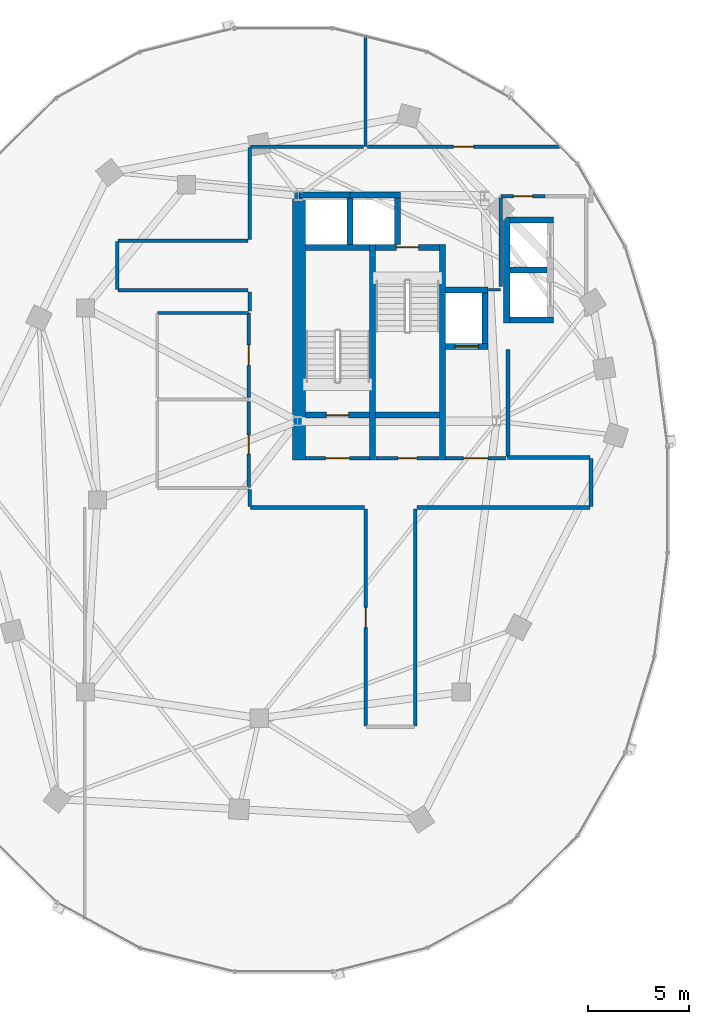
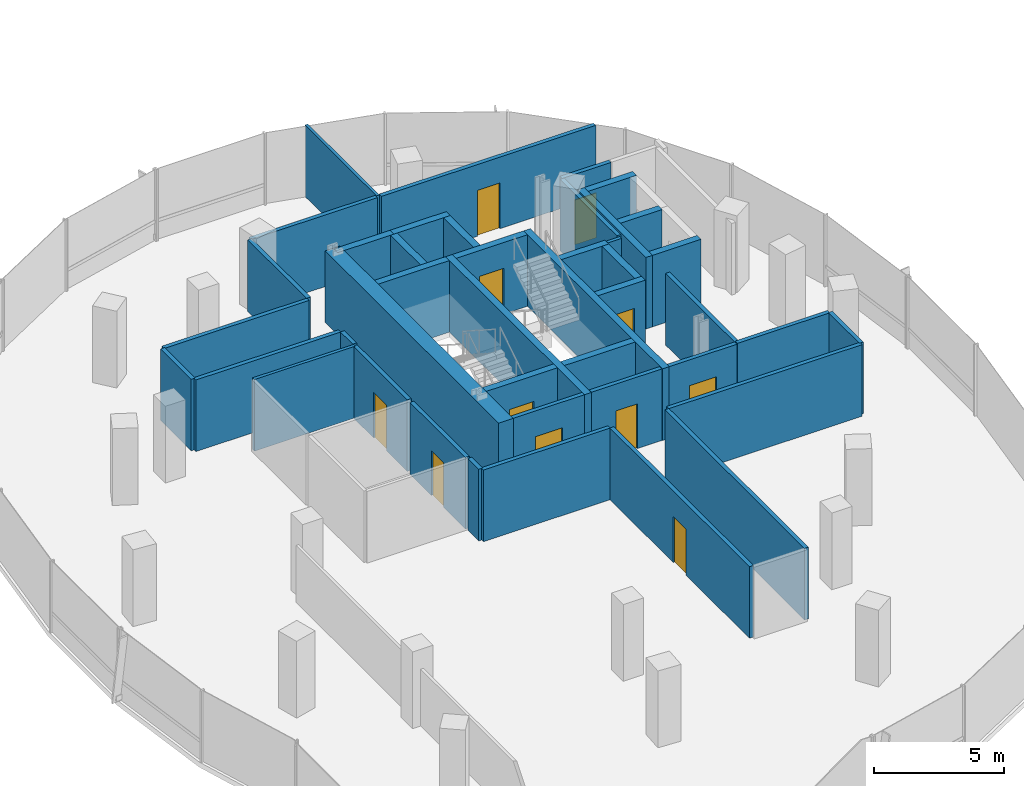
# One storey, part 12 of 21: 43 walls, 11 doors, 11 openings.
"""IFC4 building model written with IfcOpenShell, lengths in metres."""

from ifc_helpers import new_model, si_unit, direction, frame, frame_2d, origin, place, context, subcontext, project, spatial, rectangle, extrude, material, layer, layer_set, type_object, element, fill, save


model = new_model("IFC4")

# Units and contexts
model_context = context("Model", 3, precision=1e-05, world=origin(), true_north=direction((0.0, 1.0)))
body_context = subcontext(model_context, "Body", "Model", "MODEL_VIEW")
ifc_project = project(units=[si_unit("LENGTHUNIT", "METRE"), si_unit("AREAUNIT", "SQUARE_METRE"), si_unit("VOLUMEUNIT", "CUBIC_METRE"), si_unit("PLANEANGLEUNIT", "RADIAN"), si_unit("MASSUNIT", "GRAM", prefix="KILO"), si_unit("THERMODYNAMICTEMPERATUREUNIT", "KELVIN"), si_unit("POWERUNIT", "WATT")], contexts=[model_context])

# Site, building, storey
site_placement = place(None, origin())
site = spatial("IfcSite", under=ifc_project, at=site_placement, CompositionType="ELEMENT")
building_placement = place(site_placement, origin())
building = spatial("IfcBuilding", under=site, at=building_placement, Name="Cundina Bronze Exchange", CompositionType="ELEMENT")
storey_placement = place(building_placement, frame((0.0, 0.0, 180.0)))
storey = spatial("IfcBuildingStorey", under=building, at=storey_placement, Name="L47", CompositionType="ELEMENT", Elevation=180.0)

# Wall
ifc_material_1 = material(Name="Gypsum Fireboard Partition EI120")
ifc_layer_1 = layer(ifc_material_1, 0.179931640625, Name="Gypsum Fireboard Partition EI120")
ifc_layer_set_1 = layer_set([ifc_layer_1], Name="Gypsum Fireboard Partition EI120")
wall_type_1 = type_object("IfcWallType", Name="WL-COR-180", PredefinedType="PARTITIONING", material=ifc_layer_set_1)
wall_1_placement = place(storey_placement, frame((-20.889892578125, 2.14990234375, 0.0), z_axis=(0.0, 0.0, 1.0), x_axis=(0.0, 1.0, 0.0)))
element("IfcWall", 1, at=wall_1_placement, inside=storey, type_object=wall_type_1, Name="L47 W Firefighting Lobby Side Wall", PredefinedType="PARTITIONING", context=body_context, shape_type="SweptSolid", body=[
    extrude(rectangle(XDim=5.300048828125, YDim=0.179931640625, at=frame_2d((2.64990234375, 0.0))), origin(), (0.0, 0.0, 1.0), 3.360107421875),
])

# Wall, opening, door
wall_2_placement = place(storey_placement, frame((-23.97998046875, 2.06005859375, 0.0), z_axis=(0.0, 0.0, 1.0), x_axis=(1.0, 0.0, 0.0)))
wall_2 = element("IfcWall", 2, at=wall_2_placement, inside=storey, type_object=wall_type_1, Name="L47 W Firefighting Lobby Exit Wall", PredefinedType="PARTITIONING", context=body_context, shape_type="SweptSolid", body=[
    extrude(rectangle(XDim=3.0, YDim=0.179931640625, at=frame_2d((1.5, 0.0))), origin(), (0.0, 0.0, 1.0), 3.360107421875),
])
opening_1_placement = place(wall_2_placement, frame((0.89990234375, 0.0, 0.0)))
opening_1 = element("IfcOpeningElement", 3, at=opening_1_placement, cuts=wall_2, Name="Opening DF-01", PredefinedType="OPENING", context=body_context, shape_type="SweptSolid", body=[
    extrude(rectangle(XDim=1.199951171875, YDim=2.14990234375, at=frame_2d((0.60009765625, 1.074951171875))), frame((0.0, 0.099853515625, 0.0), z_axis=(0.0, -1.0, 0.0), x_axis=(1.0, 0.0, 0.0)), (0.0, 0.0, 1.0), 0.199951171875),
])
ifc_material_2 = material(Name="Steel ASTM A36 Painted", Category="steel")
door_type_1 = type_object("IfcDoorType", Name="DR-FFL-1200", OperationType="NOTDEFINED", PredefinedType="DOOR", material=ifc_material_2)
door_1_placement = place(opening_1_placement, origin())
door_1 = element("IfcDoor", 4, at=door_1_placement, inside=storey, type_object=door_type_1, Name="L47 W Firefighting Lobby Door", OperationType="SINGLE_SWING_RIGHT", OverallHeight=2.14990234375, OverallWidth=1.199951171875, PredefinedType="DOOR", context=body_context, shape_type="SweptSolid", body=[
    extrude(rectangle(XDim=1.199951171875, YDim=2.14990234375, at=frame_2d((0.60009765625, 1.074951171875))), frame((0.0, 0.02490234375, 0.0), z_axis=(0.0, -1.0, 0.0), x_axis=(1.0, 0.0, 0.0)), (0.0, 0.0, 1.0), 0.050048828125),
])
fill(opening_1, door_1)

wall_3_placement = place(storey_placement, frame((-30.89990234375, 2.06005859375, 0.0), z_axis=(0.0, 0.0, 1.0), x_axis=(1.0, 0.0, 0.0)))
wall_3 = element("IfcWall", 5, at=wall_3_placement, inside=storey, type_object=wall_type_1, Name="L47 W Stair Vestibule Exit Wall", PredefinedType="PARTITIONING", context=body_context, shape_type="SweptSolid", body=[
    extrude(rectangle(XDim=3.159912109375, YDim=0.179931640625, at=frame_2d((1.580078125, 0.0))), origin(), (0.0, 0.0, 1.0), 3.360107421875),
])
opening_2_placement = place(wall_3_placement, frame((0.97998046875, 0.0, 0.0)))
opening_2 = element("IfcOpeningElement", 6, at=opening_2_placement, cuts=wall_3, Name="Opening DF-01", PredefinedType="OPENING", context=body_context, shape_type="SweptSolid", body=[
    extrude(rectangle(XDim=1.199951171875, YDim=2.14990234375, at=frame_2d((0.60009765625, 1.074951171875))), frame((0.0, 0.099853515625, 0.0), z_axis=(0.0, -1.0, 0.0), x_axis=(1.0, 0.0, 0.0)), (0.0, 0.0, 1.0), 0.199951171875),
])
door_2_placement = place(opening_2_placement, origin())
door_2 = element("IfcDoor", 7, at=door_2_placement, inside=storey, type_object=door_type_1, Name="L47 W Stair Vestibule Door", OperationType="SINGLE_SWING_LEFT", OverallHeight=2.14990234375, OverallWidth=1.199951171875, PredefinedType="DOOR", context=body_context, shape_type="SweptSolid", body=[
    extrude(rectangle(XDim=1.199951171875, YDim=2.14990234375, at=frame_2d((0.60009765625, 1.074951171875))), frame((0.0, 0.02490234375, 0.0), z_axis=(0.0, -1.0, 0.0), x_axis=(1.0, 0.0, 0.0)), (0.0, 0.0, 1.0), 0.050048828125),
])
fill(opening_2, door_2)

wall_4_placement = place(storey_placement, frame((-21.22998046875, 15.030029296875, 0.0), z_axis=(0.0, 0.0, 1.0), x_axis=(1.0, 0.0, 0.0)))
wall_4 = element("IfcWall", 8, at=wall_4_placement, inside=storey, type_object=wall_type_1, Name="L47 Interior Partition 002", PredefinedType="PARTITIONING", context=body_context, shape_type="SweptSolid", body=[
    extrude(rectangle(XDim=2.159912109375, YDim=0.179931640625, at=frame_2d((1.080078125, 0.0))), origin(), (0.0, 0.0, 1.0), 3.360107421875),
])
opening_3_placement = place(wall_4_placement, frame((0.60498046875, 0.0, 0.0)))
opening_3 = element("IfcOpeningElement", 9, at=opening_3_placement, cuts=wall_4, Name="Opening DW-01", PredefinedType="OPENING", context=body_context, shape_type="SweptSolid", body=[
    extrude(rectangle(XDim=0.949951171875, YDim=2.10009765625, at=frame_2d((0.47509765625, 1.050048828125))), frame((0.0, 0.099853515625, 0.0), z_axis=(0.0, -1.0, 0.0), x_axis=(1.0, 0.0, 0.0)), (0.0, 0.0, 1.0), 0.199951171875),
])
ifc_material_3 = material(Name="Solid Andean Oak Timber Grade A", Category="wood")
door_type_2 = type_object("IfcDoorType", Name="DR-WC-950", OperationType="NOTDEFINED", PredefinedType="DOOR", material=ifc_material_3)
door_3_placement = place(opening_3_placement, origin())
door_3 = element("IfcDoor", 10, at=door_3_placement, inside=storey, type_object=door_type_2, Name="L47 Interior Door 002", OperationType="SINGLE_SWING_RIGHT", OverallHeight=2.10009765625, OverallWidth=0.949951171875, PredefinedType="DOOR", context=body_context, shape_type="SweptSolid", body=[
    extrude(rectangle(XDim=0.949951171875, YDim=2.10009765625, at=frame_2d((0.47509765625, 1.050048828125))), frame((0.0, 0.02490234375, 0.0), z_axis=(0.0, -1.0, 0.0), x_axis=(1.0, 0.0, 0.0)), (0.0, 0.0, 1.0), 0.050048828125),
])
fill(opening_3, door_3)

# Wall
wall_5_placement = place(storey_placement, frame((-21.25, 10.570068359375, 0.0), z_axis=(0.0, 0.0, 1.0), x_axis=(0.0, 1.0, 0.0)))
element("IfcWall", 11, at=wall_5_placement, inside=storey, type_object=wall_type_1, Name="L47 Interior Partition 005", PredefinedType="PARTITIONING", context=body_context, shape_type="SweptSolid", body=[
    extrude(rectangle(XDim=4.35986328125, YDim=0.179931640625, at=frame_2d((2.179931640625, 0.0))), origin(), (0.0, 0.0, 1.0), 3.360107421875),
])

# Wall, opening, door
wall_6_placement = place(storey_placement, frame((-27.419921875, 2.070068359375, 0.0), z_axis=(0.0, 0.0, 1.0), x_axis=(1.0, 0.0, 0.0)))
wall_6 = element("IfcWall", 12, at=wall_6_placement, inside=storey, type_object=wall_type_1, Name="L47 Interior Partition 006", PredefinedType="PARTITIONING", context=body_context, shape_type="SweptSolid", body=[
    extrude(rectangle(XDim=3.119873046875, YDim=0.179931640625, at=frame_2d((1.56005859375, 0.0))), origin(), (0.0, 0.0, 1.0), 3.360107421875),
])
opening_4_placement = place(wall_6_placement, frame((1.0849609375, 0.0, 0.0)))
opening_4 = element("IfcOpeningElement", 13, at=opening_4_placement, cuts=wall_6, Name="Opening DW-01", PredefinedType="OPENING", context=body_context, shape_type="SweptSolid", body=[
    extrude(rectangle(XDim=0.949951171875, YDim=2.10009765625, at=frame_2d((0.47509765625, 1.050048828125))), frame((0.0, 0.099853515625, 0.0), z_axis=(0.0, -1.0, 0.0), x_axis=(1.0, 0.0, 0.0)), (0.0, 0.0, 1.0), 0.199951171875),
])
door_4_placement = place(opening_4_placement, origin())
door_4 = element("IfcDoor", 14, at=door_4_placement, inside=storey, type_object=door_type_2, Name="L47 Interior Door 006", OperationType="SINGLE_SWING_RIGHT", OverallHeight=2.10009765625, OverallWidth=0.949951171875, PredefinedType="DOOR", context=body_context, shape_type="SweptSolid", body=[
    extrude(rectangle(XDim=0.949951171875, YDim=2.10009765625, at=frame_2d((0.47509765625, 1.050048828125))), frame((0.0, 0.02490234375, 0.0), z_axis=(0.0, -1.0, 0.0), x_axis=(1.0, 0.0, 0.0)), (0.0, 0.0, 1.0), 0.050048828125),
])
fill(opening_4, door_4)

wall_7_placement = place(storey_placement, frame((-33.719970703125, 0.6201171875, 0.0), z_axis=(0.0, 0.0, 1.0), x_axis=(0.0, 1.0, 0.0)))
wall_7 = element("IfcWall", 15, at=wall_7_placement, inside=storey, type_object=wall_type_1, Name="L47 Interior Partition 012", PredefinedType="PARTITIONING", context=body_context, shape_type="SweptSolid", body=[
    extrude(rectangle(XDim=4.259765625, YDim=0.179931640625, at=frame_2d((2.1298828125, 0.0))), origin(), (0.0, 0.0, 1.0), 3.360107421875),
])
opening_5_placement = place(wall_7_placement, frame((1.655029296875, 0.0, 0.0)))
opening_5 = element("IfcOpeningElement", 16, at=opening_5_placement, cuts=wall_7, Name="Opening DW-01", PredefinedType="OPENING", context=body_context, shape_type="SweptSolid", body=[
    extrude(rectangle(XDim=0.949951171875, YDim=2.10009765625, at=frame_2d((0.47509765625, 1.050048828125))), frame((0.0, 0.099853515625, 0.0), z_axis=(0.0, -1.0, 0.0), x_axis=(1.0, 0.0, 0.0)), (0.0, 0.0, 1.0), 0.199951171875),
])
door_5_placement = place(opening_5_placement, origin())
door_5 = element("IfcDoor", 17, at=door_5_placement, inside=storey, type_object=door_type_2, Name="L47 Interior Door 012", OperationType="SINGLE_SWING_RIGHT", OverallHeight=2.10009765625, OverallWidth=0.949951171875, PredefinedType="DOOR", context=body_context, shape_type="SweptSolid", body=[
    extrude(rectangle(XDim=0.949951171875, YDim=2.10009765625, at=frame_2d((0.47509765625, 1.050048828125))), frame((0.0, 0.02490234375, 0.0), z_axis=(0.0, -1.0, 0.0), x_axis=(1.0, 0.0, 0.0)), (0.0, 0.0, 1.0), 0.050048828125),
])
fill(opening_5, door_5)

wall_8_placement = place(storey_placement, frame((-33.719970703125, 5.080078125, 0.0), z_axis=(0.0, 0.0, 1.0), x_axis=(0.0, 1.0, 0.0)))
wall_8 = element("IfcWall", 18, at=wall_8_placement, inside=storey, type_object=wall_type_1, Name="L47 Interior Partition 013", PredefinedType="PARTITIONING", context=body_context, shape_type="SweptSolid", body=[
    extrude(rectangle(XDim=4.159912109375, YDim=0.179931640625, at=frame_2d((2.080078125, 0.0))), origin(), (0.0, 0.0, 1.0), 3.360107421875),
])
opening_6_placement = place(wall_8_placement, frame((1.580078125, 0.0, 0.0)))
opening_6 = element("IfcOpeningElement", 19, at=opening_6_placement, cuts=wall_8, Name="Opening DO-01", PredefinedType="OPENING", context=body_context, shape_type="SweptSolid", body=[
    extrude(rectangle(XDim=1.0, YDim=2.14990234375, at=frame_2d((0.5, 1.074951171875))), frame((0.0, 0.099853515625, 0.0), z_axis=(0.0, -1.0, 0.0), x_axis=(1.0, 0.0, 0.0)), (0.0, 0.0, 1.0), 0.199951171875),
])
door_type_3 = type_object("IfcDoorType", Name="DR-OFF-1000", OperationType="NOTDEFINED", PredefinedType="DOOR", material=ifc_material_3)
door_6_placement = place(opening_6_placement, origin())
door_6 = element("IfcDoor", 20, at=door_6_placement, inside=storey, type_object=door_type_3, Name="L47 Interior Door 013", OperationType="SINGLE_SWING_RIGHT", OverallHeight=2.14990234375, OverallWidth=1.0, PredefinedType="DOOR", context=body_context, shape_type="SweptSolid", body=[
    extrude(rectangle(XDim=1.0, YDim=2.14990234375, at=frame_2d((0.5, 1.074951171875))), frame((0.0, 0.02490234375, 0.0), z_axis=(0.0, -1.0, 0.0), x_axis=(1.0, 0.0, 0.0)), (0.0, 0.0, 1.0), 0.050048828125),
])
fill(opening_6, door_6)

wall_9_placement = place(storey_placement, frame((-27.919921875, -0.449951171875, 0.0), z_axis=(0.0, 0.0, 1.0), x_axis=(0.0, -1.0, 0.0)))
wall_9 = element("IfcWall", 21, at=wall_9_placement, inside=storey, type_object=wall_type_1, Name="L47 Interior Partition 016", PredefinedType="PARTITIONING", context=body_context, shape_type="SweptSolid", body=[
    extrude(rectangle(XDim=10.728515625, YDim=0.179931640625, at=frame_2d((5.3642578125, 0.0))), origin(), (0.0, 0.0, 1.0), 3.360107421875),
])
opening_7_placement = place(wall_9_placement, frame((4.8642578125, 0.0, 0.0)))
opening_7 = element("IfcOpeningElement", 22, at=opening_7_placement, cuts=wall_9, Name="Opening DO-01", PredefinedType="OPENING", context=body_context, shape_type="SweptSolid", body=[
    extrude(rectangle(XDim=1.0, YDim=2.14990234375, at=frame_2d((0.5, 1.074951171875))), frame((0.0, 0.099853515625, 0.0), z_axis=(0.0, -1.0, 0.0), x_axis=(1.0, 0.0, 0.0)), (0.0, 0.0, 1.0), 0.199951171875),
])
door_7_placement = place(opening_7_placement, origin())
door_7 = element("IfcDoor", 23, at=door_7_placement, inside=storey, type_object=door_type_3, Name="L47 Interior Door 016", OperationType="SINGLE_SWING_RIGHT", OverallHeight=2.14990234375, OverallWidth=1.0, PredefinedType="DOOR", context=body_context, shape_type="SweptSolid", body=[
    extrude(rectangle(XDim=1.0, YDim=2.14990234375, at=frame_2d((0.5, 1.074951171875))), frame((0.0, 0.02490234375, 0.0), z_axis=(0.0, -1.0, 0.0), x_axis=(1.0, 0.0, 0.0)), (0.0, 0.0, 1.0), 0.050048828125),
])
fill(opening_7, door_7)

# Walls
wall_10_placement = place(storey_placement, frame((-25.47998046875, -11.178466796875, 0.0), z_axis=(0.0, 0.0, 1.0), x_axis=(0.0, 1.0, 0.0)))
element("IfcWall", 24, at=wall_10_placement, inside=storey, type_object=wall_type_1, Name="L47 Interior Partition 017", PredefinedType="PARTITIONING", context=body_context, shape_type="SweptSolid", body=[
    extrude(rectangle(XDim=10.728515625, YDim=0.179931640625, at=frame_2d((5.3642578125, 0.0))), origin(), (0.0, 0.0, 1.0), 3.360107421875),
])
wall_11_placement = place(storey_placement, frame((-25.39990234375, -0.3701171875, 0.0), z_axis=(0.0, 0.0, 1.0), x_axis=(1.0, 0.0, 0.0)))
element("IfcWall", 25, at=wall_11_placement, inside=storey, type_object=wall_type_1, Name="L47 Interior Partition 018", PredefinedType="PARTITIONING", context=body_context, shape_type="SweptSolid", body=[
    extrude(rectangle(XDim=8.578369140625, YDim=0.179931640625, at=frame_2d((4.2890625, 0.0))), origin(), (0.0, 0.0, 1.0), 3.360107421875),
])
for number, where, z_axis, x_axis, name in (
    (26, (-33.75, 12.820068359375, 0.0), (0.0, 0.0, 1.0), (-1.0, 0.0, 0.0), "L47 Interior Partition 019"),
    (27, (-40.178466796875, 10.3798828125, 0.0), (0.0, 0.0, 1.0), (1.0, 0.0, 0.0), "L47 Interior Partition 020"),
):
    element("IfcWall", number, at=place(storey_placement, frame(where, z_axis=z_axis, x_axis=x_axis)), inside=storey, type_object=wall_type_1, Name=name, PredefinedType="PARTITIONING", context=body_context, shape_type="SweptSolid", body=[
        extrude(rectangle(XDim=6.428466796875, YDim=0.179931640625, at=frame_2d((3.21435546875, 0.0))), origin(), (0.0, 0.0, 1.0), 3.360107421875),
    ])
wall_12_placement = place(storey_placement, frame((-33.62841796875, -0.3701171875, 0.0), z_axis=(0.0, 0.0, 1.0), x_axis=(1.0, 0.0, 0.0)))
element("IfcWall", 28, at=wall_12_placement, inside=storey, type_object=wall_type_1, Name="L47 Interior Partition 021", PredefinedType="PARTITIONING", context=body_context, shape_type="SweptSolid", body=[
    extrude(rectangle(XDim=5.62841796875, YDim=0.179931640625, at=frame_2d((2.814208984375, 0.0))), origin(), (0.0, 0.0, 1.0), 3.360107421875),
])
wall_13_placement = place(storey_placement, frame((-28.030029296875, 17.469970703125, 0.0), z_axis=(0.0, 0.0, 1.0), x_axis=(-1.0, 0.0, 0.0)))
element("IfcWall", 29, at=wall_13_placement, inside=storey, type_object=wall_type_1, Name="L47 Interior Partition 022", PredefinedType="PARTITIONING", context=body_context, shape_type="SweptSolid", body=[
    extrude(rectangle(XDim=5.598388671875, YDim=0.179931640625, at=frame_2d((2.79931640625, 0.0))), origin(), (0.0, 0.0, 1.0), 3.360107421875),
])
wall_14_placement = place(storey_placement, frame((-33.669921875, 17.428466796875, 0.0), z_axis=(0.0, 0.0, 1.0), x_axis=(0.0, -1.0, 0.0)))
element("IfcWall", 30, at=wall_14_placement, inside=storey, type_object=wall_type_1, Name="L47 Interior Partition 023", PredefinedType="PARTITIONING", context=body_context, shape_type="SweptSolid", body=[
    extrude(rectangle(XDim=4.528564453125, YDim=0.179931640625, at=frame_2d((2.26416015625, 0.0))), origin(), (0.0, 0.0, 1.0), 3.360107421875),
])
wall_15_placement = place(storey_placement, frame((-16.821533203125, 2.10009765625, 0.0), z_axis=(0.0, 0.0, 1.0), x_axis=(-1.0, 0.0, 0.0)))
element("IfcWall", 31, at=wall_15_placement, inside=storey, type_object=wall_type_1, Name="L47 Interior Partition 024", PredefinedType="PARTITIONING", context=body_context, shape_type="SweptSolid", body=[
    extrude(rectangle(XDim=4.098388671875, YDim=0.179931640625, at=frame_2d((2.04931640625, 0.0))), origin(), (0.0, 0.0, 1.0), 3.360107421875),
])
wall_16_placement = place(storey_placement, frame((-16.780029296875, -0.32861328125, 0.0), z_axis=(0.0, 0.0, 1.0), x_axis=(0.0, 1.0, 0.0)))
element("IfcWall", 32, at=wall_16_placement, inside=storey, type_object=wall_type_1, Name="L47 Interior Partition 025", PredefinedType="PARTITIONING", context=body_context, shape_type="SweptSolid", body=[
    extrude(rectangle(XDim=2.38720703125, YDim=0.179931640625, at=frame_2d((1.193603515625, 0.0))), origin(), (0.0, 0.0, 1.0), 3.360107421875),
])
wall_17_placement = place(storey_placement, frame((-40.219970703125, 12.778564453125, 0.0), z_axis=(0.0, 0.0, 1.0), x_axis=(0.0, -1.0, 0.0)))
element("IfcWall", 33, at=wall_17_placement, inside=storey, type_object=wall_type_1, Name="L47 Interior Partition 027", PredefinedType="PARTITIONING", context=body_context, shape_type="SweptSolid", body=[
    extrude(rectangle(XDim=2.357177734375, YDim=0.179931640625, at=frame_2d((1.1787109375, 0.0))), origin(), (0.0, 0.0, 1.0), 3.360107421875),
])
wall_18_placement = place(storey_placement, frame((-33.669921875, 10.300048828125, 0.0), z_axis=(0.0, 0.0, 1.0), x_axis=(0.0, -1.0, 0.0)))
element("IfcWall", 34, at=wall_18_placement, inside=storey, type_object=wall_type_1, Name="L47 Interior Partition 028", PredefinedType="PARTITIONING", context=body_context, shape_type="SweptSolid", body=[
    extrude(rectangle(XDim=0.94873046875, YDim=0.179931640625, at=frame_2d((0.474365234375, 0.0))), origin(), (0.0, 0.0, 1.0), 3.360107421875),
])
wall_19_placement = place(storey_placement, frame((-33.669921875, 0.508544921875, 0.0), z_axis=(0.0, 0.0, 1.0), x_axis=(0.0, -1.0, 0.0)))
element("IfcWall", 35, at=wall_19_placement, inside=storey, type_object=wall_type_1, Name="L47 Interior Partition 029", PredefinedType="PARTITIONING", context=body_context, shape_type="SweptSolid", body=[
    extrude(rectangle(XDim=0.837158203125, YDim=0.179931640625, at=frame_2d((0.41845703125, 0.0))), origin(), (0.0, 0.0, 1.0), 3.360107421875),
])

# Wall, opening, door
wall_20_placement = place(storey_placement, frame((-18.341796875, 17.469970703125, 0.0), z_axis=(0.0, 0.0, 1.0), x_axis=(-1.0, 0.0, 0.0)))
wall_20 = element("IfcWall", 36, at=wall_20_placement, inside=storey, type_object=wall_type_1, Name="L47 Interior Partition 031", PredefinedType="PARTITIONING", context=body_context, shape_type="SweptSolid", body=[
    extrude(rectangle(XDim=9.50830078125, YDim=0.179931640625, at=frame_2d((4.754150390625, 0.0))), origin(), (0.0, 0.0, 1.0), 3.360107421875),
])
opening_8_placement = place(wall_20_placement, frame((4.254150390625, 0.0, 0.0)))
opening_8 = element("IfcOpeningElement", 37, at=opening_8_placement, cuts=wall_20, Name="Opening DO-01", PredefinedType="OPENING", context=body_context, shape_type="SweptSolid", body=[
    extrude(rectangle(XDim=1.0, YDim=2.14990234375, at=frame_2d((0.5, 1.074951171875))), frame((0.0, 0.099853515625, 0.0), z_axis=(0.0, -1.0, 0.0), x_axis=(1.0, 0.0, 0.0)), (0.0, 0.0, 1.0), 0.199951171875),
])
door_8_placement = place(opening_8_placement, origin())
door_8 = element("IfcDoor", 38, at=door_8_placement, inside=storey, type_object=door_type_3, Name="L47 Interior Door 031", OperationType="SINGLE_SWING_RIGHT", OverallHeight=2.14990234375, OverallWidth=1.0, PredefinedType="DOOR", context=body_context, shape_type="SweptSolid", body=[
    extrude(rectangle(XDim=1.0, YDim=2.14990234375, at=frame_2d((0.5, 1.074951171875))), frame((0.0, 0.02490234375, 0.0), z_axis=(0.0, -1.0, 0.0), x_axis=(1.0, 0.0, 0.0)), (0.0, 0.0, 1.0), 0.050048828125),
])
fill(opening_8, door_8)

# Walls
ifc_material_4 = material(Name="Concrete C50/60", Category="concrete")
ifc_layer_2 = layer(ifc_material_4, 0.64990234375, Name="Concrete C50/60", Category="concrete")
ifc_layer_set_2 = layer_set([ifc_layer_2], Name="Concrete C50/60")
wall_type_2 = type_object("IfcWallType", Name="WL-CORE-650", PredefinedType="SHEAR", material=ifc_layer_set_2)
wall_21_placement = place(storey_placement, frame((-31.22509765625, 1.969970703125, 0.0), z_axis=(0.0, 0.0, 1.0), x_axis=(0.0, 1.0, 0.0)))
element("IfcWall", 39, at=wall_21_placement, inside=storey, type_object=wall_type_2, Name="L47 W Primary Core Shear Spine Wall", PredefinedType="SHEAR", context=body_context, shape_type="SweptSolid", body=[
    extrude(rectangle(XDim=13.330078125, YDim=0.64990234375, at=frame_2d((6.6650390625, 0.0))), origin(), (0.0, 0.0, 1.0), 3.360107421875),
])
ifc_material_5 = material(Name="Gypsum Acoustic Partition EI60")
ifc_layer_3 = layer(ifc_material_5, 0.125, Name="Gypsum Acoustic Partition EI60")
ifc_layer_set_3 = layer_set([ifc_layer_3], Name="Gypsum Acoustic Partition EI60")
wall_type_3 = type_object("IfcWallType", Name="WL-OFF-125", PredefinedType="PARTITIONING", material=ifc_layer_set_3)
wall_22_placement = place(storey_placement, frame((-27.93994140625, 17.5, 0.0), z_axis=(0.0, 0.0, 1.0), x_axis=(0.0, 1.0, 0.0)))
element("IfcWall", 40, at=wall_22_placement, inside=storey, type_object=wall_type_3, Name="L47 Interior Partition 015", PredefinedType="PARTITIONING", context=body_context, shape_type="SweptSolid", body=[
    extrude(rectangle(XDim=5.49658203125, YDim=0.125, at=frame_2d((2.748291015625, 0.0))), origin(), (0.0, 0.0, 1.0), 3.360107421875),
])
ifc_layer_4 = layer(ifc_material_4, 0.300048828125, Name="Concrete C50/60", Category="concrete")
ifc_layer_set_4 = layer_set([ifc_layer_4], Name="Concrete C50/60")
wall_type_4 = type_object("IfcWallType", Name="WL-SHFT-300", PredefinedType="SHEAR", material=ifc_layer_set_4)
for number, where, z_axis, x_axis, name in (
    (41, (-27.590087890625, 1.969970703125, 0.0), (0.0, 0.0, 1.0), (0.0, 1.0, 0.0), "L47 W Stair Shaft Dividing Shear Wall"),
    (42, (-24.1298828125, 1.969970703125, 0.0), (0.0, 0.0, 1.0), (0.0, 1.0, 0.0), "L47 W Stair 2 East Shear Wall"),
):
    element("IfcWall", number, at=place(storey_placement, frame(where, z_axis=z_axis, x_axis=x_axis)), inside=storey, type_object=wall_type_4, Name=name, PredefinedType="SHEAR", context=body_context, shape_type="SweptSolid", body=[
        extrude(rectangle(XDim=10.679931640625, YDim=0.300048828125, at=frame_2d((5.33984375, 0.0))), origin(), (0.0, 0.0, 1.0), 3.360107421875),
    ])

# Wall, opening, door
wall_23_placement = place(storey_placement, frame((-30.89990234375, 4.199951171875, 0.0), z_axis=(0.0, 0.0, 1.0), x_axis=(1.0, 0.0, 0.0)))
wall_23 = element("IfcWall", 43, at=wall_23_placement, inside=storey, type_object=wall_type_4, Name="L47 Stair W1 Landing Wall", PredefinedType="SHEAR", context=body_context, shape_type="SweptSolid", body=[
    extrude(rectangle(XDim=3.159912109375, YDim=0.300048828125, at=frame_2d((1.580078125, 0.0))), origin(), (0.0, 0.0, 1.0), 3.360107421875),
])
opening_9_placement = place(wall_23_placement, frame((1.030029296875, 0.0, 0.0)))
opening_9 = element("IfcOpeningElement", 44, at=opening_9_placement, cuts=wall_23, Name="Opening DS-01", PredefinedType="OPENING", context=body_context, shape_type="SweptSolid", body=[
    extrude(rectangle(XDim=1.10009765625, YDim=2.14990234375, at=frame_2d((0.550048828125, 1.074951171875))), frame((0.0, 0.159912109375, 0.0), z_axis=(0.0, -1.0, 0.0), x_axis=(1.0, 0.0, 0.0)), (0.0, 0.0, 1.0), 0.320068359375),
])
door_type_4 = type_object("IfcDoorType", Name="DR-STR-1100", OperationType="NOTDEFINED", PredefinedType="DOOR", material=ifc_material_2)
door_9_placement = place(opening_9_placement, origin())
door_9 = element("IfcDoor", 45, at=door_9_placement, inside=storey, type_object=door_type_4, Name="L47 Smokeproof Stair W1 Door", OperationType="SINGLE_SWING_RIGHT", OverallHeight=2.14990234375, OverallWidth=1.10009765625, PredefinedType="DOOR", context=body_context, shape_type="SweptSolid", body=[
    extrude(rectangle(XDim=1.10009765625, YDim=2.14990234375, at=frame_2d((0.550048828125, 1.074951171875))), frame((0.0, 0.02490234375, 0.0), z_axis=(0.0, -1.0, 0.0), x_axis=(1.0, 0.0, 0.0)), (0.0, 0.0, 1.0), 0.050048828125),
])
fill(opening_9, door_9)

# Wall
wall_24_placement = place(storey_placement, frame((-30.89990234375, 12.5, 0.0), z_axis=(0.0, 0.0, 1.0), x_axis=(1.0, 0.0, 0.0)))
element("IfcWall", 46, at=wall_24_placement, inside=storey, type_object=wall_type_4, Name="L47 Stair W1 Far Shaft Wall", PredefinedType="SHEAR", context=body_context, shape_type="SweptSolid", body=[
    extrude(rectangle(XDim=3.159912109375, YDim=0.300048828125, at=frame_2d((1.580078125, 0.0))), origin(), (0.0, 0.0, 1.0), 3.360107421875),
])

# Wall, opening, door
wall_25_placement = place(storey_placement, frame((-27.43994140625, 12.5, 0.0), z_axis=(0.0, 0.0, 1.0), x_axis=(1.0, 0.0, 0.0)))
wall_25 = element("IfcWall", 47, at=wall_25_placement, inside=storey, type_object=wall_type_4, Name="L47 Stair W2 Landing Wall", PredefinedType="SHEAR", context=body_context, shape_type="SweptSolid", body=[
    extrude(rectangle(XDim=3.159912109375, YDim=0.300048828125, at=frame_2d((1.580078125, 0.0))), origin(), (0.0, 0.0, 1.0), 3.360107421875),
])
opening_10_placement = place(wall_25_placement, frame((1.030029296875, 0.0, 0.0)))
opening_10 = element("IfcOpeningElement", 48, at=opening_10_placement, cuts=wall_25, Name="Opening DS-01", PredefinedType="OPENING", context=body_context, shape_type="SweptSolid", body=[
    extrude(rectangle(XDim=1.10009765625, YDim=2.14990234375, at=frame_2d((0.550048828125, 1.074951171875))), frame((0.0, 0.159912109375, 0.0), z_axis=(0.0, -1.0, 0.0), x_axis=(1.0, 0.0, 0.0)), (0.0, 0.0, 1.0), 0.320068359375),
])
door_10_placement = place(opening_10_placement, origin())
door_10 = element("IfcDoor", 49, at=door_10_placement, inside=storey, type_object=door_type_4, Name="L47 Smokeproof Stair W2 Door", OperationType="SINGLE_SWING_LEFT", OverallHeight=2.14990234375, OverallWidth=1.10009765625, PredefinedType="DOOR", context=body_context, shape_type="SweptSolid", body=[
    extrude(rectangle(XDim=1.10009765625, YDim=2.14990234375, at=frame_2d((0.550048828125, 1.074951171875))), frame((0.0, 0.02490234375, 0.0), z_axis=(0.0, -1.0, 0.0), x_axis=(1.0, 0.0, 0.0)), (0.0, 0.0, 1.0), 0.050048828125),
])
fill(opening_10, door_10)

# Wall
wall_26_placement = place(storey_placement, frame((-27.43994140625, 4.199951171875, 0.0), z_axis=(0.0, 0.0, 1.0), x_axis=(1.0, 0.0, 0.0)))
element("IfcWall", 50, at=wall_26_placement, inside=storey, type_object=wall_type_4, Name="L47 Stair W2 Far Shaft Wall", PredefinedType="SHEAR", context=body_context, shape_type="SweptSolid", body=[
    extrude(rectangle(XDim=3.159912109375, YDim=0.300048828125, at=frame_2d((1.580078125, 0.0))), origin(), (0.0, 0.0, 1.0), 3.360107421875),
])

# Wall, opening, door
wall_27_placement = place(storey_placement, frame((-23.97998046875, 7.60009765625, 0.0), z_axis=(0.0, 0.0, 1.0), x_axis=(1.0, 0.0, 0.0)))
wall_27 = element("IfcWall", 51, at=wall_27_placement, inside=storey, type_object=wall_type_4, Name="L47 FFL-W Hoistway Front Wall", PredefinedType="SHEAR", context=body_context, shape_type="SweptSolid", body=[
    extrude(rectangle(XDim=2.10009765625, YDim=0.300048828125, at=frame_2d((1.050048828125, 0.0))), origin(), (0.0, 0.0, 1.0), 3.360107421875),
])
opening_11_placement = place(wall_27_placement, frame((0.47509765625, 0.0, 0.0)))
opening_11 = element("IfcOpeningElement", 52, at=opening_11_placement, cuts=wall_27, Name="Opening LD-01", PredefinedType="OPENING", context=body_context, shape_type="SweptSolid", body=[
    extrude(rectangle(XDim=1.14990234375, YDim=2.199951171875, at=frame_2d((0.574951171875, 1.10009765625))), frame((0.0, 0.159912109375, 0.0), z_axis=(0.0, -1.0, 0.0), x_axis=(1.0, 0.0, 0.0)), (0.0, 0.0, 1.0), 0.320068359375),
])
door_type_5 = type_object("IfcDoorType", Name="DR-LND-1150", OperationType="NOTDEFINED", PredefinedType="TRAPDOOR", material=ifc_material_2)
door_11_placement = place(opening_11_placement, origin())
door_11 = element("IfcDoor", 53, at=door_11_placement, inside=storey, type_object=door_type_5, Name="L47 FFL-W Sliding Landing Door", OperationType="SLIDING_TO_LEFT", OverallHeight=2.199951171875, OverallWidth=1.14990234375, PredefinedType="TRAPDOOR", context=body_context, shape_type="SweptSolid", body=[
    extrude(rectangle(XDim=1.14990234375, YDim=2.199951171875, at=frame_2d((0.574951171875, 1.10009765625))), frame((0.0, 0.02490234375, 0.0), z_axis=(0.0, -1.0, 0.0), x_axis=(1.0, 0.0, 0.0)), (0.0, 0.0, 1.0), 0.050048828125),
])
fill(opening_11, door_11)

# Walls
wall_28_placement = place(storey_placement, frame((-23.97998046875, 10.39990234375, 0.0), z_axis=(0.0, 0.0, 1.0), x_axis=(1.0, 0.0, 0.0)))
element("IfcWall", 54, at=wall_28_placement, inside=storey, type_object=wall_type_4, Name="L47 FFL-W Hoistway Back Wall", PredefinedType="SHEAR", context=body_context, shape_type="SweptSolid", body=[
    extrude(rectangle(XDim=2.10009765625, YDim=0.300048828125, at=frame_2d((1.050048828125, 0.0))), origin(), (0.0, 0.0, 1.0), 3.360107421875),
])
for number, where, z_axis, x_axis, name in (
    (55, (-22.030029296875, 7.75, 0.0), (0.0, 0.0, 1.0), (0.0, 1.0, 0.0), "L47 FFL-W Hoistway Side Wall"),
    (56, (-31.199951171875, 15.10009765625, 0.0), (0.0, 0.0, 1.0), (1.0, 0.0, 0.0), "L47 PH-W1 Hoistway Front Wall"),
):
    element("IfcWall", number, at=place(storey_placement, frame(where, z_axis=z_axis, x_axis=x_axis)), inside=storey, type_object=wall_type_4, Name=name, PredefinedType="SHEAR", context=body_context, shape_type="SweptSolid", body=[
        extrude(rectangle(XDim=2.5, YDim=0.300048828125, at=frame_2d((1.25, 0.0))), origin(), (0.0, 0.0, 1.0), 3.360107421875),
    ])
wall_29_placement = place(storey_placement, frame((-28.699951171875, 12.64990234375, 0.0), z_axis=(0.0, 0.0, 1.0), x_axis=(0.0, 1.0, 0.0)))
element("IfcWall", 57, at=wall_29_placement, inside=storey, type_object=wall_type_4, Name="L47 PH-W1 Hoistway Divider Wall", PredefinedType="SHEAR", context=body_context, shape_type="SweptSolid", body=[
    extrude(rectangle(XDim=2.300048828125, YDim=0.300048828125, at=frame_2d((1.14990234375, 0.0))), origin(), (0.0, 0.0, 1.0), 3.360107421875),
])
wall_30_placement = place(storey_placement, frame((-28.699951171875, 15.10009765625, 0.0), z_axis=(0.0, 0.0, 1.0), x_axis=(1.0, 0.0, 0.0)))
element("IfcWall", 58, at=wall_30_placement, inside=storey, type_object=wall_type_4, Name="L47 PH-W2 Hoistway Front Wall", PredefinedType="SHEAR", context=body_context, shape_type="SweptSolid", body=[
    extrude(rectangle(XDim=2.5, YDim=0.300048828125, at=frame_2d((1.25, 0.0))), origin(), (0.0, 0.0, 1.0), 3.360107421875),
])
wall_31_placement = place(storey_placement, frame((-26.35009765625, 12.64990234375, 0.0), z_axis=(0.0, 0.0, 1.0), x_axis=(0.0, 1.0, 0.0)))
element("IfcWall", 59, at=wall_31_placement, inside=storey, type_object=wall_type_4, Name="L47 PH-W2 Hoistway Divider Wall", PredefinedType="SHEAR", context=body_context, shape_type="SweptSolid", body=[
    extrude(rectangle(XDim=2.300048828125, YDim=0.300048828125, at=frame_2d((1.14990234375, 0.0))), origin(), (0.0, 0.0, 1.0), 3.360107421875),
])
wall_32_placement = place(storey_placement, frame((-20.949951171875, 8.75, 0.0), z_axis=(0.0, 0.0, 1.0), x_axis=(0.0, 1.0, 0.0)))
element("IfcWall", 60, at=wall_32_placement, inside=storey, type_object=wall_type_4, Name="L47 W Passenger Bank Hoistway Back Wall", PredefinedType="SHEAR", context=body_context, shape_type="SweptSolid", body=[
    extrude(rectangle(XDim=5.25, YDim=0.300048828125, at=frame_2d((2.625, 0.0))), origin(), (0.0, 0.0, 1.0), 3.360107421875),
])
for number, where, z_axis, x_axis, name in (
    (61, (-20.800048828125, 8.89990234375, 0.0), (0.0, 0.0, 1.0), (1.0, 0.0, 0.0), "L47 W Passenger Bank South Cap Wall"),
    (62, (-20.800048828125, 13.85009765625, 0.0), (0.0, 0.0, 1.0), (1.0, 0.0, 0.0), "L47 W Passenger Bank North Cap Wall"),
):
    element("IfcWall", number, at=place(storey_placement, frame(where, z_axis=z_axis, x_axis=x_axis)), inside=storey, type_object=wall_type_4, Name=name, PredefinedType="SHEAR", context=body_context, shape_type="SweptSolid", body=[
        extrude(rectangle(XDim=2.150146484375, YDim=0.300048828125, at=frame_2d((1.0751953125, 0.0))), origin(), (0.0, 0.0, 1.0), 3.360107421875),
    ])
wall_33_placement = place(storey_placement, frame((-20.800048828125, 11.375, 0.0), z_axis=(0.0, 0.0, 1.0), x_axis=(1.0, 0.0, 0.0)))
element("IfcWall", 63, at=wall_33_placement, inside=storey, type_object=wall_type_4, Name="L47 W Passenger Hoistway Divider 1", PredefinedType="SHEAR", context=body_context, shape_type="SweptSolid", body=[
    extrude(rectangle(XDim=1.85009765625, YDim=0.300048828125, at=frame_2d((0.925048828125, 0.0))), origin(), (0.0, 0.0, 1.0), 3.360107421875),
])
ifc_material_6 = material(Name="Moisture-Resistant Masonry Block Grade M15", Category="masonry")
ifc_layer_5 = layer(ifc_material_6, 0.139892578125, Name="Moisture-Resistant Masonry Block Grade M15", Category="masonry")
ifc_layer_set_5 = layer_set([ifc_layer_5], Name="Moisture-Resistant Masonry Block Grade M15")
wall_type_5 = type_object("IfcWallType", Name="WL-WET-140", PredefinedType="PARTITIONING", material=ifc_layer_set_5)
wall_34_placement = place(storey_placement, frame((-21.860107421875, 10.39990234375, 0.0), z_axis=(0.0, 0.0, 1.0), x_axis=(1.0, 0.0, 0.0)))
element("IfcWall", 64, at=wall_34_placement, inside=storey, type_object=wall_type_5, Name="L47 Interior Partition 004", PredefinedType="PARTITIONING", context=body_context, shape_type="SweptSolid", body=[
    extrude(rectangle(XDim=0.590087890625, YDim=0.139892578125, at=frame_2d((0.294921875, 0.0))), origin(), (0.0, 0.0, 1.0), 3.360107421875),
])
wall_35_placement = place(storey_placement, frame((-38.219970703125, 9.260009765625, 0.0), z_axis=(0.0, 0.0, 1.0), x_axis=(1.0, 0.0, 0.0)))
element("IfcWall", 65, at=wall_35_placement, inside=storey, type_object=wall_type_5, Name="L47 Interior Partition 011", PredefinedType="PARTITIONING", context=body_context, shape_type="SweptSolid", body=[
    extrude(rectangle(XDim=4.47998046875, YDim=0.139892578125, at=frame_2d((2.239990234375, 0.0))), origin(), (0.0, 0.0, 1.0), 3.360107421875),
])

save(model, "model.ifc")
